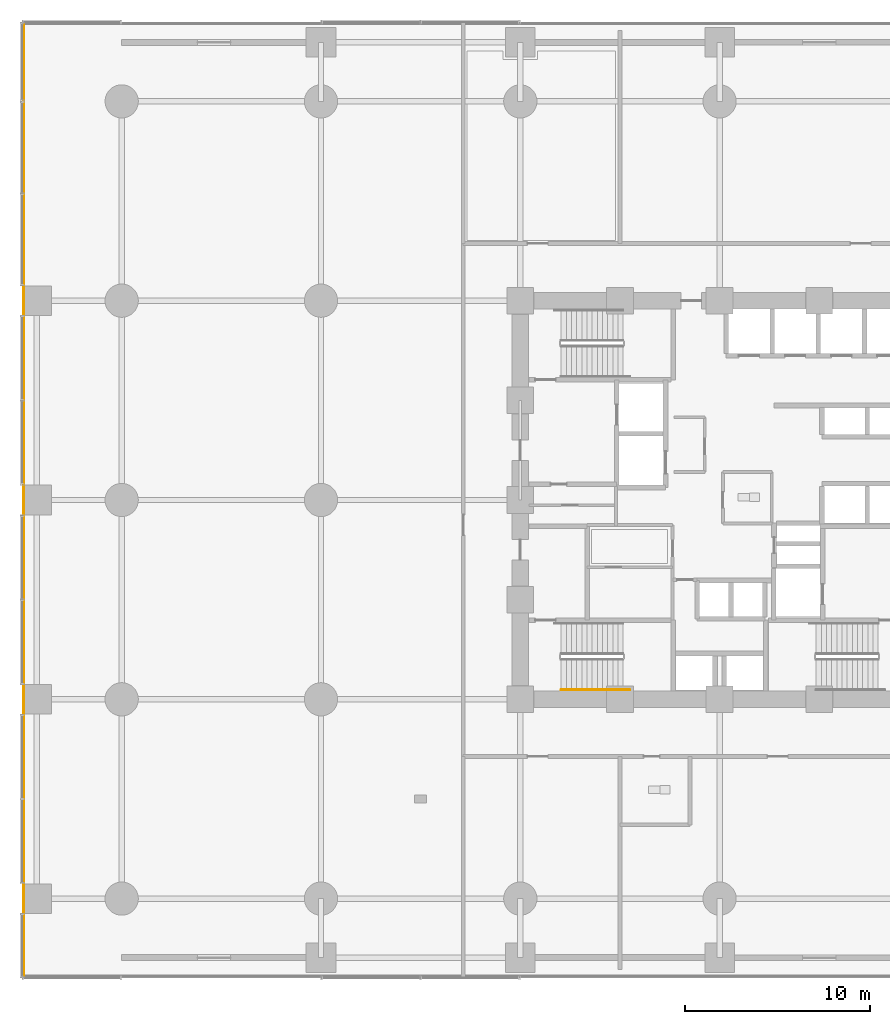
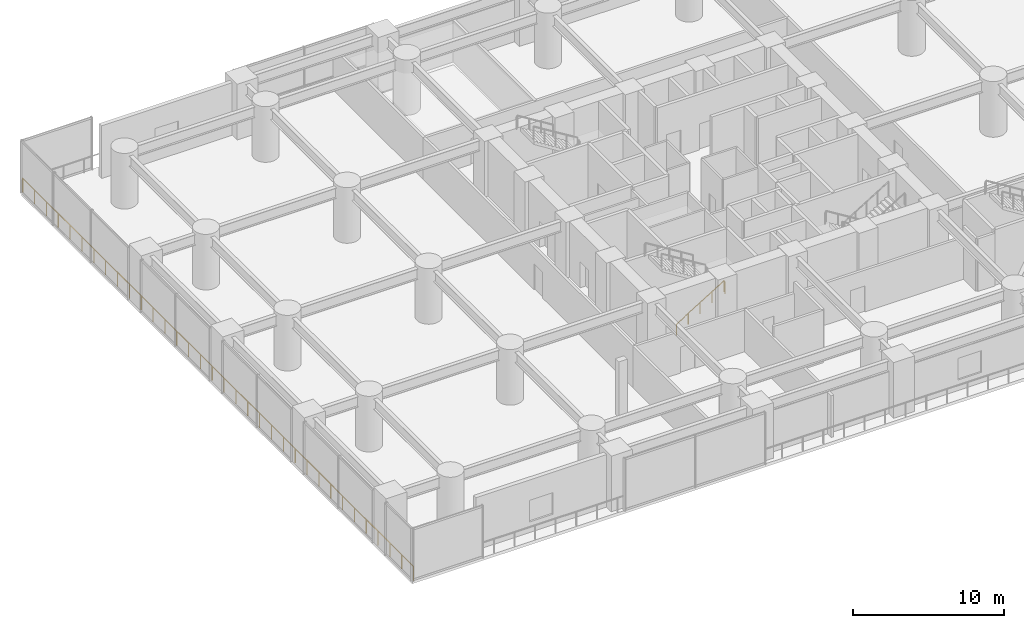
# One storey, part 30 of 36: 2 railings.
"""IFC4 building model written with IfcOpenShell, lengths in metres."""

import ifcopenshell
import ifcopenshell.guid

model = None  # the IFC model being written
_history = None  # IfcOwnerHistory: only IFC2X3 demands one
_inside = {}  # id of a spatial element -> (the spatial element, [elements in it])
_under = {}  # id of a project, library or spatial element -> (it, [spatial elements below it])
_declared = {}  # id of a project -> (the project, [libraries it declares])
_typed = {}  # id of a type object -> (the type object, [elements of that type])
_made_of = {}  # id of a material, layer set ... -> (it, [elements and type objects made of it])


def new_model(schema):
    """Start an empty IFC model of exactly this schema.

    Asked for "IFC4X3", IfcOpenShell would pick the latest addendum, in which some entities
    have other attributes; the version numbers below select the first issue.
    IFC2X3 requires an IfcOwnerHistory on every rooted entity: one is made here for all.
    """
    global model, _history
    if schema == "IFC4X3":
        model = ifcopenshell.file(schema_version=(4, 3, 0, 0))
    else:
        model = ifcopenshell.file(schema=schema)
    _inside.clear()
    _under.clear()
    _declared.clear()
    _typed.clear()
    _made_of.clear()
    _history = None
    if model.schema == "IFC2X3":
        org = make("IfcOrganization", Name="unknown")
        user = make(
            "IfcPersonAndOrganization",
            ThePerson=make("IfcPerson", FamilyName="unknown"),
            TheOrganization=org,
        )
        app = make(
            "IfcApplication",
            ApplicationDeveloper=org,
            Version="unknown",
            ApplicationFullName="unknown",
            ApplicationIdentifier="unknown",
        )
        _history = make(
            "IfcOwnerHistory",
            OwningUser=user,
            OwningApplication=app,
            ChangeAction="ADDED",
            CreationDate=0,
        )
    return model


def make(cls, **values):
    """One entity of the class cls with the attributes given. An attribute that is None is left unset."""
    return model.create_entity(
        cls, **{name: value for name, value in values.items() if value is not None}
    )


def rooted(cls, **values):
    """An entity with a GlobalId (a new one), such as an element, a storey or a relation."""
    return make(cls, GlobalId=ifcopenshell.guid.new(), OwnerHistory=_history, **values)


def si_unit(unit_type, name, prefix=None):
    """IfcSIUnit, for example si_unit("LENGTHUNIT", "METRE", prefix="MILLI")."""
    return make("IfcSIUnit", UnitType=unit_type, Prefix=prefix, Name=name)


def assignment(units):
    """IfcUnitAssignment: the units of a project."""
    return None if units is None else make("IfcUnitAssignment", Units=units)


def point(xyz):
    """IfcCartesianPoint."""
    return None if xyz is None else make("IfcCartesianPoint", Coordinates=xyz)


def direction(xyz):
    """IfcDirection."""
    return None if xyz is None else make("IfcDirection", DirectionRatios=xyz)


def frame(location, z_axis=None, x_axis=None):
    """IfcAxis2Placement3D, a coordinate frame: its origin and axes. An axis left out is left unset."""
    return make(
        "IfcAxis2Placement3D",
        Location=point(location),
        Axis=direction(z_axis),
        RefDirection=direction(x_axis),
    )


def frame_2d(location, x_axis=None):
    """IfcAxis2Placement2D, a coordinate frame in the plane: its origin and x axis."""
    return make(
        "IfcAxis2Placement2D", Location=point(location), RefDirection=direction(x_axis)
    )


def origin():
    """The frame at (0, 0, 0) with its axes left unset."""
    return frame((0.0, 0.0, 0.0))


def origin_2d():
    """The frame at (0, 0) in the plane with its x axis left unset."""
    return frame_2d((0.0, 0.0))


def place(relative_to, where):
    """IfcLocalPlacement: puts the frame where relative to a parent placement (None: the world)."""
    return make(
        "IfcLocalPlacement", PlacementRelTo=relative_to, RelativePlacement=where
    )


def context(
    kind, dimensions, precision=None, world=None, true_north=None, identifier=None
):
    """IfcGeometricRepresentationContext, for example the 3D "Model" context."""
    return make(
        "IfcGeometricRepresentationContext",
        ContextIdentifier=identifier,
        ContextType=kind,
        CoordinateSpaceDimension=dimensions,
        Precision=precision,
        WorldCoordinateSystem=world,
        TrueNorth=true_north,
    )


def subcontext(parent, identifier, kind, view, scale=None):
    """IfcGeometricRepresentationSubContext, for example "Body" below "Model"."""
    return make(
        "IfcGeometricRepresentationSubContext",
        ContextIdentifier=identifier,
        ContextType=kind,
        ParentContext=parent,
        TargetScale=scale,
        TargetView=view,
    )


def project(units=None, contexts=None):
    """IfcProject with its units and contexts."""
    return rooted(
        "IfcProject",
        Name="project",
        RepresentationContexts=contexts,
        UnitsInContext=assignment(units),
    )


def spatial(cls, under=None, at=None, **own):
    """A site, building, storey or space (cls), placed at a placement, below another one or the project."""
    s = rooted(cls, ObjectPlacement=at, **own)
    if under is not None:
        _under.setdefault(under.id(), (under, []))[1].append(s)
    return s


def profile(cls, at=None, kind="AREA", **sizes):
    """A parametric profile (cls). Its sizes go by their IFC names, for example OverallWidth=200.0."""
    return make(cls, ProfileType=kind, Position=at, **sizes)


def circle(**sizes):
    """IfcCircleProfileDef."""
    return profile("IfcCircleProfileDef", **sizes)


def extrude(swept, where, along, depth):
    """IfcExtrudedAreaSolid: the profile swept, set in the frame where, extruded along a direction by depth."""
    return make(
        "IfcExtrudedAreaSolid",
        SweptArea=swept,
        Position=where,
        ExtrudedDirection=direction(along),
        Depth=depth,
    )


def shape(context_of_items, identifier, shape_type, items):
    """IfcShapeRepresentation: the items that make up one representation, for example the "Body"."""
    return make(
        "IfcShapeRepresentation",
        ContextOfItems=context_of_items,
        RepresentationIdentifier=identifier,
        RepresentationType=shape_type,
        Items=items,
    )


def material(Name=None, Category=None):
    """IfcMaterial."""
    return make("IfcMaterial", Name=Name, Category=Category)


def made_of(thing, what):
    """Note that an element or type object is made of a material, layer set ...; save() writes the relation."""
    if what is not None:
        _made_of.setdefault(what.id(), (what, []))[1].append(thing)
    return thing


def type_object(cls, material=None, **own):
    """A type object (cls), such as IfcWallType, which elements share."""
    return made_of(rooted(cls, **own), material)


def element(
    cls,
    number,
    at=None,
    inside=None,
    cuts=None,
    type_object=None,
    material=None,
    context=None,
    identifier="Body",
    shape_type=None,
    held_by="IfcProductDefinitionShape",
    body=None,
    shapes=None,
    **own,
):
    """One element of the class cls, such as IfcWall. Its Tag is "e" and its number.

    at: its placement. inside: the storey or other place that contains it. cuts: it is an
    opening in that element (IfcRelVoidsElement). A single representation is given by context,
    identifier, shape_type and body (its items); several are given by shapes. held_by: the class
    of the entity that holds the representations. save() writes the other relations.
    """
    e = rooted(cls, Tag="e%d" % number, ObjectPlacement=at, **own)
    if body is not None:
        shapes = [shape(context, identifier, shape_type, body)]
    if shapes is not None:
        e.Representation = make(held_by, Representations=shapes)
    if inside is not None:
        _inside.setdefault(inside.id(), (inside, []))[1].append(e)
    if cuts is not None:
        rooted(
            "IfcRelVoidsElement", RelatingBuildingElement=cuts, RelatedOpeningElement=e
        )
    if type_object is not None:
        _typed.setdefault(type_object.id(), (type_object, []))[1].append(e)
    return made_of(e, material)


def aggregate(whole, parts):
    """IfcRelAggregates: a whole, such as a stair, and the parts it consists of."""
    return rooted("IfcRelAggregates", RelatingObject=whole, RelatedObjects=parts)


def save(model, path):
    """Write the relations noted so far, then the file.

    IfcRelAggregates (storeys below a building ...), IfcRelContainedInSpatialStructure (elements
    in a storey), IfcRelDefinesByType, IfcRelAssociatesMaterial and IfcRelDeclares: one each for
    every whole, place, type object, material and project.
    """
    for whole, parts in _under.values():
        aggregate(whole, parts)
    for where, things in _inside.values():
        rooted(
            "IfcRelContainedInSpatialStructure",
            RelatedElements=things,
            RelatingStructure=where,
        )
    for kind, things in _typed.values():
        rooted("IfcRelDefinesByType", RelatedObjects=things, RelatingType=kind)
    for what, things in _made_of.values():
        rooted("IfcRelAssociatesMaterial", RelatedObjects=things, RelatingMaterial=what)
    for by, libraries in _declared.values():
        rooted("IfcRelDeclares", RelatingContext=by, RelatedDefinitions=libraries)
    model.write(path)


model = new_model("IFC4")

# Units and contexts
model_context = context("Model", 3, precision=1e-05, world=origin(), true_north=direction((0.0, 1.0)))
body_context = subcontext(model_context, "Body", "Model", "MODEL_VIEW")
ifc_project = project(units=[si_unit("LENGTHUNIT", "METRE"), si_unit("AREAUNIT", "SQUARE_METRE"), si_unit("VOLUMEUNIT", "CUBIC_METRE"), si_unit("PLANEANGLEUNIT", "RADIAN"), si_unit("MASSUNIT", "GRAM", prefix="KILO")], contexts=[model_context])

# Site, building, storey
site_placement = place(None, origin())
site = spatial("IfcSite", under=ifc_project, at=site_placement, CompositionType="ELEMENT")
building_placement = place(site_placement, origin())
building = spatial("IfcBuilding", under=site, at=building_placement, Name="Surkhivell Harbour Commons", CompositionType="ELEMENT")
storey_placement = place(building_placement, frame((0.0, 0.0, 9.0)))
storey = spatial("IfcBuildingStorey", under=building, at=storey_placement, Name="L02", CompositionType="ELEMENT", Elevation=9.0)

# Railings
ifc_material_1 = material(Name="Laminated safety glass and stainless steel S355 balustrade", Category="steel")
railing_type_1 = type_object("IfcRailingType", Name="RAL-BAL-1150", PredefinedType="BALUSTRADE", material=ifc_material_1)
railing_1_placement = place(storey_placement, frame((-37.699951171875, 25.89990234375, 0.0)))
element("IfcRailing", 1, at=railing_1_placement, inside=storey, type_object=railing_type_1, Name="L02 Perimeter Safety Guard 04", PredefinedType="BALUSTRADE", context=body_context, shape_type="SweptSolid", body=[
    extrude(circle(Radius=0.02392578125, at=origin_2d()), frame((0.0, 0.0, 1.1259765625), z_axis=(0.0, -1.0, 0.0), x_axis=(1.0, 0.0, 0.0)), (0.0, 0.0, 1.0), 51.7998046875),
    extrude(circle(Radius=0.02099609375, at=origin_2d()), origin(), (0.0, 0.0, 1.0), 1.101806640625),
    extrude(circle(Radius=0.02099609375, at=origin_2d()), frame((0.0, -1.569580078125, 0.0)), (0.0, 0.0, 1.0), 1.101806640625),
    extrude(circle(Radius=0.02099609375, at=origin_2d()), frame((0.0, -3.139404296875, 0.0)), (0.0, 0.0, 1.0), 1.101806640625),
    extrude(circle(Radius=0.02099609375, at=origin_2d()), frame((0.0, -4.708984375, 0.0)), (0.0, 0.0, 1.0), 1.101806640625),
    extrude(circle(Radius=0.02099609375, at=origin_2d()), frame((0.0, -6.27880859375, 0.0)), (0.0, 0.0, 1.0), 1.101806640625),
    extrude(circle(Radius=0.02099609375, at=origin_2d()), frame((0.0, -7.848388671875, 0.0)), (0.0, 0.0, 1.0), 1.101806640625),
    extrude(circle(Radius=0.02099609375, at=origin_2d()), frame((0.0, -9.418212890625, 0.0)), (0.0, 0.0, 1.0), 1.101806640625),
    extrude(circle(Radius=0.02099609375, at=origin_2d()), frame((0.0, -10.98779296875, 0.0)), (0.0, 0.0, 1.0), 1.101806640625),
    extrude(circle(Radius=0.02099609375, at=origin_2d()), frame((0.0, -12.5576171875, 0.0)), (0.0, 0.0, 1.0), 1.101806640625),
    extrude(circle(Radius=0.02099609375, at=origin_2d()), frame((0.0, -14.127197265625, 0.0)), (0.0, 0.0, 1.0), 1.101806640625),
    extrude(circle(Radius=0.02099609375, at=origin_2d()), frame((0.0, -15.697021484375, 0.0)), (0.0, 0.0, 1.0), 1.101806640625),
    extrude(circle(Radius=0.02099609375, at=origin_2d()), frame((0.0, -17.2666015625, 0.0)), (0.0, 0.0, 1.0), 1.101806640625),
    extrude(circle(Radius=0.02099609375, at=origin_2d()), frame((0.0, -18.836181640625, 0.0)), (0.0, 0.0, 1.0), 1.101806640625),
    extrude(circle(Radius=0.02099609375, at=origin_2d()), frame((0.0, -20.406005859375, 0.0)), (0.0, 0.0, 1.0), 1.101806640625),
    extrude(circle(Radius=0.02099609375, at=origin_2d()), frame((0.0, -21.9755859375, 0.0)), (0.0, 0.0, 1.0), 1.101806640625),
    extrude(circle(Radius=0.02099609375, at=origin_2d()), frame((0.0, -23.54541015625, 0.0)), (0.0, 0.0, 1.0), 1.101806640625),
    extrude(circle(Radius=0.02099609375, at=origin_2d()), frame((0.0, -25.114990234375, 0.0)), (0.0, 0.0, 1.0), 1.101806640625),
    extrude(circle(Radius=0.02099609375, at=origin_2d()), frame((0.0, -26.684814453125, 0.0)), (0.0, 0.0, 1.0), 1.101806640625),
    extrude(circle(Radius=0.02099609375, at=origin_2d()), frame((0.0, -28.25439453125, 0.0)), (0.0, 0.0, 1.0), 1.101806640625),
    extrude(circle(Radius=0.02099609375, at=origin_2d()), frame((0.0, -29.82421875, 0.0)), (0.0, 0.0, 1.0), 1.101806640625),
    extrude(circle(Radius=0.02099609375, at=origin_2d()), frame((0.0, -31.393798828125, 0.0)), (0.0, 0.0, 1.0), 1.101806640625),
    extrude(circle(Radius=0.02099609375, at=origin_2d()), frame((0.0, -32.963623046875, 0.0)), (0.0, 0.0, 1.0), 1.101806640625),
    extrude(circle(Radius=0.02099609375, at=origin_2d()), frame((0.0, -34.533203125, 0.0)), (0.0, 0.0, 1.0), 1.101806640625),
    extrude(circle(Radius=0.02099609375, at=origin_2d()), frame((0.0, -36.102783203125, 0.0)), (0.0, 0.0, 1.0), 1.101806640625),
    extrude(circle(Radius=0.02099609375, at=origin_2d()), frame((0.0, -37.672607421875, 0.0)), (0.0, 0.0, 1.0), 1.101806640625),
    extrude(circle(Radius=0.02099609375, at=origin_2d()), frame((0.0, -39.2421875, 0.0)), (0.0, 0.0, 1.0), 1.101806640625),
    extrude(circle(Radius=0.02099609375, at=origin_2d()), frame((0.0, -40.81201171875, 0.0)), (0.0, 0.0, 1.0), 1.101806640625),
    extrude(circle(Radius=0.02099609375, at=origin_2d()), frame((0.0, -42.381591796875, 0.0)), (0.0, 0.0, 1.0), 1.101806640625),
    extrude(circle(Radius=0.02099609375, at=origin_2d()), frame((0.0, -43.951416015625, 0.0)), (0.0, 0.0, 1.0), 1.101806640625),
    extrude(circle(Radius=0.02099609375, at=origin_2d()), frame((0.0, -45.52099609375, 0.0)), (0.0, 0.0, 1.0), 1.101806640625),
    extrude(circle(Radius=0.02099609375, at=origin_2d()), frame((0.0, -47.0908203125, 0.0)), (0.0, 0.0, 1.0), 1.101806640625),
    extrude(circle(Radius=0.02099609375, at=origin_2d()), frame((0.0, -48.660400390625, 0.0)), (0.0, 0.0, 1.0), 1.101806640625),
    extrude(circle(Radius=0.02099609375, at=origin_2d()), frame((0.0, -50.230224609375, 0.0)), (0.0, 0.0, 1.0), 1.101806640625),
    extrude(circle(Radius=0.02099609375, at=origin_2d()), frame((0.0, -51.7998046875, 0.0)), (0.0, 0.0, 1.0), 1.101806640625),
])
ifc_material_2 = material(Name="Brushed stainless steel S355 handrail", Category="steel")
railing_type_2 = type_object("IfcRailingType", Name="RAL-ST-HND900", PredefinedType="HANDRAIL", material=ifc_material_2)
railing_2_placement = place(storey_placement, frame((-8.590087890625, -10.2900390625, 0.173095703125)))
element("IfcRailing", 2, at=railing_2_placement, inside=storey, type_object=railing_type_2, Name="L02 ST3 stair handrail 1", PredefinedType="HANDRAIL", context=body_context, shape_type="SweptSolid", body=[
    extrude(circle(Radius=0.02392578125, at=origin_2d()), frame((0.0, 0.0, 0.8759765625), z_axis=(0.850622404505, 0.0, 0.525777067734), x_axis=(0.0, 1.0, 0.0)), (0.0, 0.0, 1.0), 4.279296875),
    extrude(circle(Radius=0.02392578125, at=origin_2d()), frame((3.64013671875, 0.0, 3.1259765625), z_axis=(0.418814502111, 0.0, -0.908071810388), x_axis=(0.0, 1.0, 0.0)), (0.0, 0.0, 1.0), 0.190673828125),
    extrude(circle(Radius=0.02099609375, at=origin_2d()), origin(), (0.0, 0.0, 1.0), 0.851806640625),
    extrude(circle(Radius=0.02099609375, at=origin_2d()), frame((0.91015625, 0.0, 0.5625)), (0.0, 0.0, 1.0), 0.851806640625),
    extrude(circle(Radius=0.02099609375, at=origin_2d()), frame((1.820068359375, 0.0, 1.125)), (0.0, 0.0, 1.0), 0.851806640625),
    extrude(circle(Radius=0.02099609375, at=origin_2d()), frame((2.72998046875, 0.0, 1.6875)), (0.0, 0.0, 1.0), 0.851806640625),
    extrude(circle(Radius=0.02099609375, at=origin_2d()), frame((3.64013671875, 0.0, 2.25)), (0.0, 0.0, 1.0), 0.851806640625),
    extrude(circle(Radius=0.02099609375, at=origin_2d()), frame((3.719970703125, 0.0, 2.076904296875)), (0.0, 0.0, 1.0), 0.851806640625),
])

save(model, "model.ifc")
